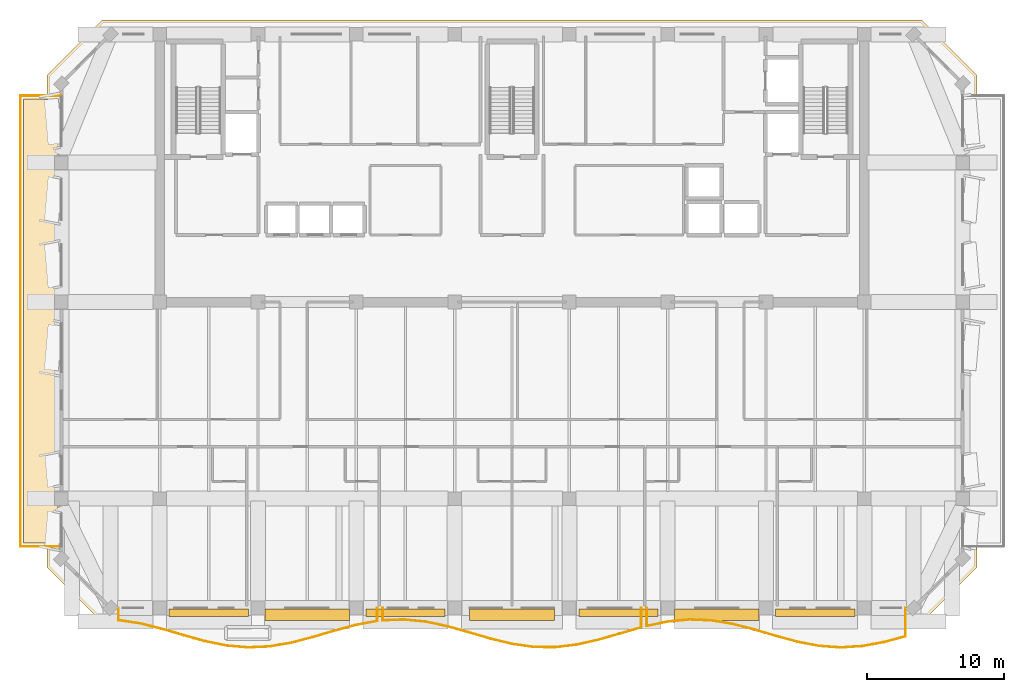
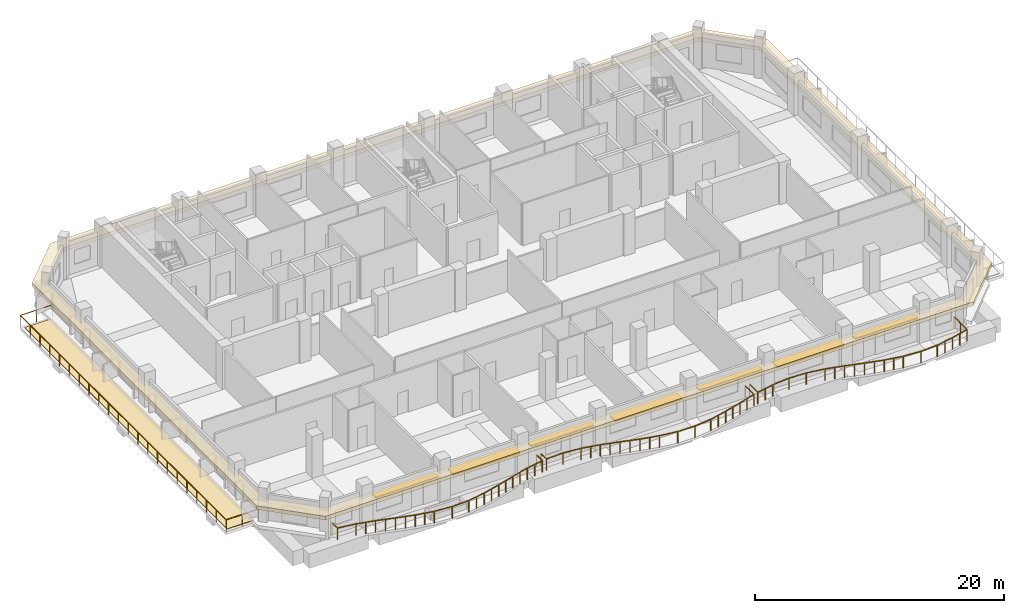
# One storey, part 9 of 12: 7 shading devices, 4 railings, 2 coverings.
"""IFC4 building model written with IfcOpenShell, lengths in metres."""

from ifc_helpers import new_model, si_unit, direction, frame, origin, origin_2d, place, context, subcontext, project, spatial, polyline, rectangle, outline, extrude, material, layer, layer_set, type_object, element, save


model = new_model("IFC4")

# Units and contexts
model_context = context("Model", 3, precision=1e-05, world=origin(), true_north=direction((0.0, 1.0)))
body_context = subcontext(model_context, "Body", "Model", "MODEL_VIEW")
ifc_project = project(units=[si_unit("LENGTHUNIT", "METRE"), si_unit("AREAUNIT", "SQUARE_METRE"), si_unit("VOLUMEUNIT", "CUBIC_METRE"), si_unit("PLANEANGLEUNIT", "RADIAN"), si_unit("MASSUNIT", "GRAM", prefix="KILO")], contexts=[model_context])

# Site, building, storey
site_placement = place(None, origin())
site = spatial("IfcSite", under=ifc_project, at=site_placement, CompositionType="ELEMENT")
building_placement = place(site_placement, origin())
building = spatial("IfcBuilding", under=site, at=building_placement, Name="Kaelvorn Grand Hotel", CompositionType="ELEMENT")
storey_placement = place(building_placement, frame((0.0, 0.0, 285.89990234375)))
storey = spatial("IfcBuildingStorey", under=building, at=storey_placement, Name="L70", CompositionType="ELEMENT", Elevation=285.89990234375)

# Coverings
ifc_material_1 = material(Name="Precast concrete C45/55", Category="concrete")
ifc_layer_1 = layer(ifc_material_1, 0.260009765625)
ifc_layer_set_1 = layer_set([ifc_layer_1], Name="Precast concrete C45/55")
covering_type_1 = type_object("IfcCoveringType", Name="COV-BAND-STREAMLINE-HEAD", PredefinedType="CLADDING", material=ifc_layer_set_1)
covering_1_placement = place(storey_placement, frame((0.0, 0.0, 2.420166015625)))
element("IfcCovering", 1, at=covering_1_placement, inside=storey, type_object=covering_type_1, Name="L70 Streamline Moderne Wraparound Horizontal Eyebrow Band", PredefinedType="CLADDING", context=body_context, shape_type="SweptSolid", body=[
    extrude(outline(polyline([(11.989990234375, 5.949951171875), (72.010009765625, 5.949951171875), (76.050048828125, 9.989990234375), (76.050048828125, 46.010009765625), (72.010009765625, 50.050048828125), (11.989990234375, 50.050048828125), (7.949951171875, 46.010009765625), (7.949951171875, 9.989990234375), (11.989990234375, 5.949951171875)]), holes=[polyline([(12.6201171875, 7.030029296875), (71.3798828125, 7.030029296875), (74.969970703125, 10.6201171875), (74.969970703125, 45.3798828125), (71.3798828125, 48.969970703125), (12.6201171875, 48.969970703125), (9.030029296875, 45.3798828125), (9.030029296875, 10.6201171875), (12.6201171875, 7.030029296875)])]), origin(), (0.0, 0.0, 1.0), 0.35986328125),
])
ifc_material_2 = material(Name="Insulated Elastomeric Waterproofing Roof Membrane")
ifc_layer_2 = layer(ifc_material_2, 0.1201171875)
ifc_layer_set_2 = layer_set([ifc_layer_2], Name="Insulated Elastomeric Waterproofing Roof Membrane")
covering_type_2 = type_object("IfcCoveringType", Name="COV-ROOF-MEMBRANE-120", PredefinedType="ROOFING", material=ifc_layer_set_2)
covering_2_placement = place(storey_placement, origin())
element("IfcCovering", 2, at=covering_2_placement, inside=storey, type_object=covering_type_2, Name="L70 Setback Terrace Waterproofing Membrane W", PredefinedType="ROOFING", context=body_context, shape_type="SweptSolid", body=[
    extrude(outline(polyline([(6.25, 11.75), (8.75, 11.75), (8.75, 44.25), (6.25, 44.25), (6.25, 11.75)])), origin(), (0.0, 0.0, 1.0), 0.06005859375),
])

# Railings
ifc_material_3 = material(Name="Stainless Steel", Category="steel")
railing_type_1 = type_object("IfcRailingType", Name="RL-BALC-1150", PredefinedType="BALUSTRADE", material=ifc_material_3)
railing_1_placement = place(storey_placement, frame((13.199951171875, 7.0, 0.0)))
element("IfcRailing", 3, at=railing_1_placement, inside=storey, type_object=railing_type_1, Name="L70 Scalloped Wave Balcony Balustrade GR1-1", PredefinedType="BALUSTRADE", context=body_context, shape_type="SweptSolid", body=[
    extrude(rectangle(XDim=0.048095703125, YDim=0.048095703125, at=origin_2d()), frame((0.0, 0.0, 1.1259765625), z_axis=(0.0, -1.0, 0.0), x_axis=(1.0, 0.0, 0.0)), (0.0, 0.0, 1.0), 0.900146484375),
    extrude(rectangle(XDim=0.048095703125, YDim=0.048095703125, at=origin_2d()), frame((0.0, -0.900146484375, 1.1259765625), z_axis=(0.988516241436, -0.151114659839, 0.0), x_axis=(0.151114659839, 0.988516241436, 0.0)), (0.0, 0.0, 1.0), 1.59619140625),
    extrude(rectangle(XDim=0.048095703125, YDim=0.048095703125, at=origin_2d()), frame((1.577880859375, -1.141357421875, 1.1259765625), z_axis=(0.970336513975, -0.241758246286, 0.0), x_axis=(0.241758246286, 0.970336513975, 0.0)), (0.0, 0.0, 1.0), 1.6259765625),
    extrude(rectangle(XDim=0.048095703125, YDim=0.048095703125, at=origin_2d()), frame((3.155517578125, -1.534423828125, 1.1259765625), z_axis=(0.9594411111, -0.281909124242, 0.0), x_axis=(0.281909124242, 0.9594411111, 0.0)), (0.0, 0.0, 1.0), 1.64453125),
    extrude(rectangle(XDim=0.048095703125, YDim=0.048095703125, at=origin_2d()), frame((4.7333984375, -1.998046875, 1.1259765625), z_axis=(0.963567020392, -0.267467002102, 0.0), x_axis=(0.267467002102, 0.963567020392, 0.0)), (0.0, 0.0, 1.0), 1.637451171875),
    extrude(rectangle(XDim=0.048095703125, YDim=0.048095703125, at=origin_2d()), frame((6.311279296875, -2.43603515625, 1.1259765625), z_axis=(0.979797389426, -0.199992689052, 0.0), x_axis=(0.199992689052, 0.979797389426, 0.0)), (0.0, 0.0, 1.0), 1.610107421875),
    extrude(rectangle(XDim=0.048095703125, YDim=0.048095703125, at=origin_2d()), frame((7.888916015625, -2.758056640625, 1.1259765625), z_axis=(0.996133421283, -0.087853326649, 0.0), x_axis=(0.087853326649, 0.996133421283, 0.0)), (0.0, 0.0, 1.0), 1.583984375),
    extrude(rectangle(XDim=0.048095703125, YDim=0.048095703125, at=origin_2d()), frame((9.466796875, -2.897216796875, 1.1259765625), z_axis=(0.998952541697, 0.045758271795, 0.0), x_axis=(-0.045758271795, 0.998952541697, 0.0)), (0.0, 0.0, 1.0), 1.579345703125),
    extrude(rectangle(XDim=0.048095703125, YDim=0.048095703125, at=origin_2d()), frame((11.04443359375, -2.824951171875, 1.1259765625), z_axis=(0.985772814615, 0.168083187638, 0.0), x_axis=(-0.168083187638, 0.985772814615, 0.0)), (0.0, 0.0, 1.0), 1.6005859375),
    extrude(rectangle(XDim=0.048095703125, YDim=0.048095703125, at=origin_2d()), frame((12.622314453125, -2.555908203125, 1.1259765625), z_axis=(0.967863347592, 0.251476719376, 0.0), x_axis=(-0.251476719376, 0.967863347592, 0.0)), (0.0, 0.0, 1.0), 1.630126953125),
    extrude(rectangle(XDim=0.048095703125, YDim=0.048095703125, at=origin_2d()), frame((14.199951171875, -2.14599609375, 1.1259765625), z_axis=(0.959079088078, 0.28313831039, 0.0), x_axis=(-0.28313831039, 0.959079088078, 0.0)), (0.0, 0.0, 1.0), 1.645263671875),
    extrude(rectangle(XDim=0.048095703125, YDim=0.048095703125, at=origin_2d()), frame((15.77783203125, -1.68017578125, 1.1259765625), z_axis=(0.965467041319, 0.26052522359, 0.0), x_axis=(-0.26052522359, 0.965467041319, 0.0)), (0.0, 0.0, 1.0), 1.63427734375),
    extrude(rectangle(XDim=0.048095703125, YDim=0.048095703125, at=origin_2d()), frame((17.355712890625, -1.25439453125, 1.1259765625), z_axis=(0.982723809516, 0.185078130019, 0.0), x_axis=(-0.185078130019, 0.982723809516, 0.0)), (0.0, 0.0, 1.0), 1.60546875),
    extrude(rectangle(XDim=0.048095703125, YDim=0.048095703125, at=origin_2d()), frame((18.933349609375, -0.957275390625, 1.1259765625), z_axis=(0.0, 1.0, 0.0), x_axis=(-1.0, 0.0, 0.0)), (0.0, 0.0, 1.0), 0.957275390625),
    extrude(rectangle(XDim=0.0419921875, YDim=0.0419921875, at=origin_2d()), origin(), (0.0, 0.0, 1.0), 1.101806640625),
    extrude(rectangle(XDim=0.0419921875, YDim=0.0419921875, at=origin_2d()), frame((0.0, -0.900146484375, 0.0)), (0.0, 0.0, 1.0), 1.101806640625),
    extrude(rectangle(XDim=0.0419921875, YDim=0.0419921875, at=origin_2d()), frame((1.577880859375, -1.141357421875, 0.0)), (0.0, 0.0, 1.0), 1.101806640625),
    extrude(rectangle(XDim=0.0419921875, YDim=0.0419921875, at=origin_2d()), frame((2.36669921875, -1.337890625, 0.0)), (0.0, 0.0, 1.0), 1.101806640625),
    extrude(rectangle(XDim=0.0419921875, YDim=0.0419921875, at=origin_2d()), frame((3.155517578125, -1.534423828125, 0.0)), (0.0, 0.0, 1.0), 1.101806640625),
    extrude(rectangle(XDim=0.0419921875, YDim=0.0419921875, at=origin_2d()), frame((3.9443359375, -1.76611328125, 0.0)), (0.0, 0.0, 1.0), 1.101806640625),
    extrude(rectangle(XDim=0.0419921875, YDim=0.0419921875, at=origin_2d()), frame((4.7333984375, -1.998046875, 0.0)), (0.0, 0.0, 1.0), 1.101806640625),
    extrude(rectangle(XDim=0.0419921875, YDim=0.0419921875, at=origin_2d()), frame((5.5224609375, -2.217041015625, 0.0)), (0.0, 0.0, 1.0), 1.101806640625),
    extrude(rectangle(XDim=0.0419921875, YDim=0.0419921875, at=origin_2d()), frame((6.311279296875, -2.43603515625, 0.0)), (0.0, 0.0, 1.0), 1.101806640625),
    extrude(rectangle(XDim=0.0419921875, YDim=0.0419921875, at=origin_2d()), frame((7.10009765625, -2.59716796875, 0.0)), (0.0, 0.0, 1.0), 1.101806640625),
    extrude(rectangle(XDim=0.0419921875, YDim=0.0419921875, at=origin_2d()), frame((7.888916015625, -2.758056640625, 0.0)), (0.0, 0.0, 1.0), 1.101806640625),
    extrude(rectangle(XDim=0.0419921875, YDim=0.0419921875, at=origin_2d()), frame((9.466796875, -2.897216796875, 0.0)), (0.0, 0.0, 1.0), 1.101806640625),
    extrude(rectangle(XDim=0.0419921875, YDim=0.0419921875, at=origin_2d()), frame((11.04443359375, -2.824951171875, 0.0)), (0.0, 0.0, 1.0), 1.101806640625),
    extrude(rectangle(XDim=0.0419921875, YDim=0.0419921875, at=origin_2d()), frame((11.83349609375, -2.6904296875, 0.0)), (0.0, 0.0, 1.0), 1.101806640625),
    extrude(rectangle(XDim=0.0419921875, YDim=0.0419921875, at=origin_2d()), frame((12.622314453125, -2.555908203125, 0.0)), (0.0, 0.0, 1.0), 1.101806640625),
    extrude(rectangle(XDim=0.0419921875, YDim=0.0419921875, at=origin_2d()), frame((13.4111328125, -2.35107421875, 0.0)), (0.0, 0.0, 1.0), 1.101806640625),
    extrude(rectangle(XDim=0.0419921875, YDim=0.0419921875, at=origin_2d()), frame((14.199951171875, -2.14599609375, 0.0)), (0.0, 0.0, 1.0), 1.101806640625),
    extrude(rectangle(XDim=0.0419921875, YDim=0.0419921875, at=origin_2d()), frame((14.98876953125, -1.9130859375, 0.0)), (0.0, 0.0, 1.0), 1.101806640625),
    extrude(rectangle(XDim=0.0419921875, YDim=0.0419921875, at=origin_2d()), frame((15.77783203125, -1.68017578125, 0.0)), (0.0, 0.0, 1.0), 1.101806640625),
    extrude(rectangle(XDim=0.0419921875, YDim=0.0419921875, at=origin_2d()), frame((16.56689453125, -1.46728515625, 0.0)), (0.0, 0.0, 1.0), 1.101806640625),
    extrude(rectangle(XDim=0.0419921875, YDim=0.0419921875, at=origin_2d()), frame((17.355712890625, -1.25439453125, 0.0)), (0.0, 0.0, 1.0), 1.101806640625),
    extrude(rectangle(XDim=0.0419921875, YDim=0.0419921875, at=origin_2d()), frame((18.14453125, -1.10595703125, 0.0)), (0.0, 0.0, 1.0), 1.101806640625),
    extrude(rectangle(XDim=0.0419921875, YDim=0.0419921875, at=origin_2d()), frame((18.933349609375, -0.957275390625, 0.0)), (0.0, 0.0, 1.0), 1.101806640625),
    extrude(rectangle(XDim=0.0419921875, YDim=0.0419921875, at=origin_2d()), frame((18.933349609375, 0.0, 0.0)), (0.0, 0.0, 1.0), 1.101806640625),
])
railing_2_placement = place(storey_placement, frame((32.533447265625, 7.0, 0.0)))
element("IfcRailing", 4, at=railing_2_placement, inside=storey, type_object=railing_type_1, Name="L70 Scalloped Wave Balcony Balustrade GR1-2", PredefinedType="BALUSTRADE", context=body_context, shape_type="SweptSolid", body=[
    extrude(rectangle(XDim=0.048095703125, YDim=0.048095703125, at=origin_2d()), frame((0.0, 0.0, 1.1259765625), z_axis=(0.0, -1.0, 0.0), x_axis=(1.0, 0.0, 0.0)), (0.0, 0.0, 1.0), 0.910400390625),
    extrude(rectangle(XDim=0.048095703125, YDim=0.048095703125, at=origin_2d()), frame((0.0, -0.910400390625, 1.1259765625), z_axis=(0.999420965922, 0.034025473925, 0.0), x_axis=(-0.034025473925, 0.999420965922, 0.0)), (0.0, 0.0, 1.0), 1.57861328125),
    extrude(rectangle(XDim=0.048095703125, YDim=0.048095703125, at=origin_2d()), frame((1.57763671875, -0.856689453125, 1.1259765625), z_axis=(0.995087369025, -0.099000646493, 0.0), x_axis=(0.099000646493, 0.995087369025, 0.0)), (0.0, 0.0, 1.0), 1.585693359375),
    extrude(rectangle(XDim=0.048095703125, YDim=0.048095703125, at=origin_2d()), frame((3.155517578125, -1.013671875, 1.1259765625), z_axis=(0.978164236518, -0.207833410204, 0.0), x_axis=(0.207833410204, 0.978164236518, 0.0)), (0.0, 0.0, 1.0), 1.61279296875),
    extrude(rectangle(XDim=0.048095703125, YDim=0.048095703125, at=origin_2d()), frame((4.733154296875, -1.348876953125, 1.1259765625), z_axis=(0.962601187284, -0.270922413689, 0.0), x_axis=(0.270922413689, 0.962601187284, 0.0)), (0.0, 0.0, 1.0), 1.63916015625),
    extrude(rectangle(XDim=0.048095703125, YDim=0.048095703125, at=origin_2d()), frame((6.31103515625, -1.79296875, 1.1259765625), z_axis=(0.959830137867, -0.280581728634, 0.0), x_axis=(0.280581728634, 0.959830137867, 0.0)), (0.0, 0.0, 1.0), 1.6435546875),
    extrude(rectangle(XDim=0.048095703125, YDim=0.048095703125, at=origin_2d()), frame((7.888671875, -2.254150390625, 1.1259765625), z_axis=(0.971842801897, -0.235630151721, 0.0), x_axis=(0.235630151721, 0.971842801897, 0.0)), (0.0, 0.0, 1.0), 1.62353515625),
    extrude(rectangle(XDim=0.048095703125, YDim=0.048095703125, at=origin_2d()), frame((9.466552734375, -2.63671875, 1.1259765625), z_axis=(0.989977046543, -0.141228351681, 0.0), x_axis=(0.141228351681, 0.989977046543, 0.0)), (0.0, 0.0, 1.0), 1.59375),
    extrude(rectangle(XDim=0.048095703125, YDim=0.048095703125, at=origin_2d()), frame((11.04443359375, -2.86181640625, 1.1259765625), z_axis=(0.999913499704, -0.013152684536, 0.0), x_axis=(0.013152684536, 0.999913499704, 0.0)), (0.0, 0.0, 1.0), 1.577880859375),
    extrude(rectangle(XDim=0.048095703125, YDim=0.048095703125, at=origin_2d()), frame((12.6220703125, -2.882568359375, 1.1259765625), z_axis=(0.992995572283, 0.118151569718, 0.0), x_axis=(-0.118151569718, 0.992995572283, 0.0)), (0.0, 0.0, 1.0), 1.589111328125),
    extrude(rectangle(XDim=0.048095703125, YDim=0.048095703125, at=origin_2d()), frame((14.199951171875, -2.69482421875, 1.1259765625), z_axis=(0.975283851303, 0.220955672904, 0.0), x_axis=(-0.220955672904, 0.975283851303, 0.0)), (0.0, 0.0, 1.0), 1.61767578125),
    extrude(rectangle(XDim=0.048095703125, YDim=0.048095703125, at=origin_2d()), frame((15.777587890625, -2.33740234375, 1.1259765625), z_axis=(0.961152686274, 0.276017234369, 0.0), x_axis=(-0.276017234369, 0.961152686274, 0.0)), (0.0, 0.0, 1.0), 1.6416015625),
    extrude(rectangle(XDim=0.048095703125, YDim=0.048095703125, at=origin_2d()), frame((17.35546875, -1.88427734375, 1.1259765625), z_axis=(0.960825114094, 0.277155371815, 0.0), x_axis=(-0.277155371815, 0.960825114094, 0.0)), (0.0, 0.0, 1.0), 1.641845703125),
    extrude(rectangle(XDim=0.048095703125, YDim=0.048095703125, at=origin_2d()), frame((18.93310546875, -1.42919921875, 1.1259765625), z_axis=(0.0, 1.0, 0.0), x_axis=(-1.0, 0.0, 0.0)), (0.0, 0.0, 1.0), 1.42919921875),
    extrude(rectangle(XDim=0.0419921875, YDim=0.0419921875, at=origin_2d()), origin(), (0.0, 0.0, 1.0), 1.101806640625),
    extrude(rectangle(XDim=0.0419921875, YDim=0.0419921875, at=origin_2d()), frame((0.0, -0.910400390625, 0.0)), (0.0, 0.0, 1.0), 1.101806640625),
    extrude(rectangle(XDim=0.0419921875, YDim=0.0419921875, at=origin_2d()), frame((1.57763671875, -0.856689453125, 0.0)), (0.0, 0.0, 1.0), 1.101806640625),
    extrude(rectangle(XDim=0.0419921875, YDim=0.0419921875, at=origin_2d()), frame((3.155517578125, -1.013671875, 0.0)), (0.0, 0.0, 1.0), 1.101806640625),
    extrude(rectangle(XDim=0.0419921875, YDim=0.0419921875, at=origin_2d()), frame((3.9443359375, -1.18115234375, 0.0)), (0.0, 0.0, 1.0), 1.101806640625),
    extrude(rectangle(XDim=0.0419921875, YDim=0.0419921875, at=origin_2d()), frame((4.733154296875, -1.348876953125, 0.0)), (0.0, 0.0, 1.0), 1.101806640625),
    extrude(rectangle(XDim=0.0419921875, YDim=0.0419921875, at=origin_2d()), frame((5.52197265625, -1.57080078125, 0.0)), (0.0, 0.0, 1.0), 1.101806640625),
    extrude(rectangle(XDim=0.0419921875, YDim=0.0419921875, at=origin_2d()), frame((6.31103515625, -1.79296875, 0.0)), (0.0, 0.0, 1.0), 1.101806640625),
    extrude(rectangle(XDim=0.0419921875, YDim=0.0419921875, at=origin_2d()), frame((7.099853515625, -2.0234375, 0.0)), (0.0, 0.0, 1.0), 1.101806640625),
    extrude(rectangle(XDim=0.0419921875, YDim=0.0419921875, at=origin_2d()), frame((7.888671875, -2.254150390625, 0.0)), (0.0, 0.0, 1.0), 1.101806640625),
    extrude(rectangle(XDim=0.0419921875, YDim=0.0419921875, at=origin_2d()), frame((8.677734375, -2.4453125, 0.0)), (0.0, 0.0, 1.0), 1.101806640625),
    extrude(rectangle(XDim=0.0419921875, YDim=0.0419921875, at=origin_2d()), frame((9.466552734375, -2.63671875, 0.0)), (0.0, 0.0, 1.0), 1.101806640625),
    extrude(rectangle(XDim=0.0419921875, YDim=0.0419921875, at=origin_2d()), frame((11.04443359375, -2.86181640625, 0.0)), (0.0, 0.0, 1.0), 1.101806640625),
    extrude(rectangle(XDim=0.0419921875, YDim=0.0419921875, at=origin_2d()), frame((12.6220703125, -2.882568359375, 0.0)), (0.0, 0.0, 1.0), 1.101806640625),
    extrude(rectangle(XDim=0.0419921875, YDim=0.0419921875, at=origin_2d()), frame((14.199951171875, -2.69482421875, 0.0)), (0.0, 0.0, 1.0), 1.101806640625),
    extrude(rectangle(XDim=0.0419921875, YDim=0.0419921875, at=origin_2d()), frame((14.98876953125, -2.51611328125, 0.0)), (0.0, 0.0, 1.0), 1.101806640625),
    extrude(rectangle(XDim=0.0419921875, YDim=0.0419921875, at=origin_2d()), frame((15.777587890625, -2.33740234375, 0.0)), (0.0, 0.0, 1.0), 1.101806640625),
    extrude(rectangle(XDim=0.0419921875, YDim=0.0419921875, at=origin_2d()), frame((16.56640625, -2.11083984375, 0.0)), (0.0, 0.0, 1.0), 1.101806640625),
    extrude(rectangle(XDim=0.0419921875, YDim=0.0419921875, at=origin_2d()), frame((17.35546875, -1.88427734375, 0.0)), (0.0, 0.0, 1.0), 1.101806640625),
    extrude(rectangle(XDim=0.0419921875, YDim=0.0419921875, at=origin_2d()), frame((18.144287109375, -1.65673828125, 0.0)), (0.0, 0.0, 1.0), 1.101806640625),
    extrude(rectangle(XDim=0.0419921875, YDim=0.0419921875, at=origin_2d()), frame((18.93310546875, -1.42919921875, 0.0)), (0.0, 0.0, 1.0), 1.101806640625),
    extrude(rectangle(XDim=0.0419921875, YDim=0.0419921875, at=origin_2d()), frame((18.93310546875, 0.0, 0.0)), (0.0, 0.0, 1.0), 1.101806640625),
])
railing_3_placement = place(storey_placement, frame((51.86669921875, 7.0, 0.0)))
element("IfcRailing", 5, at=railing_3_placement, inside=storey, type_object=railing_type_1, Name="L70 Scalloped Wave Balcony Balustrade GR1-3", PredefinedType="BALUSTRADE", context=body_context, shape_type="SweptSolid", body=[
    extrude(rectangle(XDim=0.048095703125, YDim=0.048095703125, at=origin_2d()), frame((0.0, 0.0, 1.1259765625), z_axis=(0.0, -1.0, 0.0), x_axis=(1.0, 0.0, 0.0)), (0.0, 0.0, 1.0), 1.3251953125),
    extrude(rectangle(XDim=0.048095703125, YDim=0.048095703125, at=origin_2d()), frame((0.0, -1.3251953125, 1.1259765625), z_axis=(0.979259382724, 0.202610615089, 0.0), x_axis=(-0.202610615089, 0.979259382724, 0.0)), (0.0, 0.0, 1.0), 1.611083984375),
    extrude(rectangle(XDim=0.048095703125, YDim=0.048095703125, at=origin_2d()), frame((1.57763671875, -0.998779296875, 1.1259765625), z_axis=(0.995803049951, 0.09152205039, 0.0), x_axis=(-0.09152205039, 0.995803049951, 0.0)), (0.0, 0.0, 1.0), 1.58447265625),
    extrude(rectangle(XDim=0.048095703125, YDim=0.048095703125, at=origin_2d()), frame((3.155517578125, -0.853759765625, 1.1259765625), z_axis=(0.999115570848, -0.04204849687, 0.0), x_axis=(0.04204849687, 0.999115570848, 0.0)), (0.0, 0.0, 1.0), 1.579345703125),
    extrude(rectangle(XDim=0.048095703125, YDim=0.048095703125, at=origin_2d()), frame((4.7333984375, -0.920166015625, 1.1259765625), z_axis=(0.986269893476, -0.165141446107, 0.0), x_axis=(0.165141446107, 0.986269893476, 0.0)), (0.0, 0.0, 1.0), 1.599609375),
    extrude(rectangle(XDim=0.048095703125, YDim=0.048095703125, at=origin_2d()), frame((6.31103515625, -1.184326171875, 1.1259765625), z_axis=(0.968308888529, -0.249755673399, 0.0), x_axis=(0.249755673399, 0.968308888529, 0.0)), (0.0, 0.0, 1.0), 1.629638671875),
    extrude(rectangle(XDim=0.048095703125, YDim=0.048095703125, at=origin_2d()), frame((7.888916015625, -1.59130859375, 1.1259765625), z_axis=(0.95910748909, -0.283042089399, 0.0), x_axis=(0.283042089399, 0.95910748909, 0.0)), (0.0, 0.0, 1.0), 1.64501953125),
    extrude(rectangle(XDim=0.048095703125, YDim=0.048095703125, at=origin_2d()), frame((9.466552734375, -2.056884765625, 1.1259765625), z_axis=(0.965128178827, -0.261777765354, 0.0), x_axis=(0.261777765354, 0.965128178827, 0.0)), (0.0, 0.0, 1.0), 1.635009765625),
    extrude(rectangle(XDim=0.048095703125, YDim=0.048095703125, at=origin_2d()), frame((11.04443359375, -2.48486328125, 1.1259765625), z_axis=(0.982166539658, -0.18801300055, 0.0), x_axis=(0.18801300055, 0.982166539658, 0.0)), (0.0, 0.0, 1.0), 1.606201171875),
    extrude(rectangle(XDim=0.048095703125, YDim=0.048095703125, at=origin_2d()), frame((12.6220703125, -2.786865234375, 1.1259765625), z_axis=(0.997443793309, -0.071455434984, 0.0), x_axis=(0.071455434984, 0.997443793309, 0.0)), (0.0, 0.0, 1.0), 1.58203125),
    extrude(rectangle(XDim=0.048095703125, YDim=0.048095703125, at=origin_2d()), frame((14.199951171875, -2.89990234375, 1.1259765625), z_axis=(0.998032699487, 0.06269554015, 0.0), x_axis=(-0.06269554015, 0.998032699487, 0.0)), (0.0, 0.0, 1.0), 1.5810546875),
    extrude(rectangle(XDim=0.048095703125, YDim=0.048095703125, at=origin_2d()), frame((15.77783203125, -2.80078125, 1.1259765625), z_axis=(0.983463176908, 0.181108198781, 0.0), x_axis=(-0.181108198781, 0.983463176908, 0.0)), (0.0, 0.0, 1.0), 1.604248046875),
    extrude(rectangle(XDim=0.048095703125, YDim=0.048095703125, at=origin_2d()), frame((17.35546875, -2.51025390625, 1.1259765625), z_axis=(0.966028721311, 0.258434729869, 0.0), x_axis=(-0.258434729869, 0.966028721311, 0.0)), (0.0, 0.0, 1.0), 1.63330078125),
    extrude(rectangle(XDim=0.048095703125, YDim=0.048095703125, at=origin_2d()), frame((18.933349609375, -2.088134765625, 1.1259765625), z_axis=(0.0, 1.0, 0.0), x_axis=(-1.0, 0.0, 0.0)), (0.0, 0.0, 1.0), 2.088134765625),
    extrude(rectangle(XDim=0.0419921875, YDim=0.0419921875, at=origin_2d()), origin(), (0.0, 0.0, 1.0), 1.101806640625),
    extrude(rectangle(XDim=0.0419921875, YDim=0.0419921875, at=origin_2d()), frame((0.0, -1.3251953125, 0.0)), (0.0, 0.0, 1.0), 1.101806640625),
    extrude(rectangle(XDim=0.0419921875, YDim=0.0419921875, at=origin_2d()), frame((0.788818359375, -1.162109375, 0.0)), (0.0, 0.0, 1.0), 1.101806640625),
    extrude(rectangle(XDim=0.0419921875, YDim=0.0419921875, at=origin_2d()), frame((1.57763671875, -0.998779296875, 0.0)), (0.0, 0.0, 1.0), 1.101806640625),
    extrude(rectangle(XDim=0.0419921875, YDim=0.0419921875, at=origin_2d()), frame((3.155517578125, -0.853759765625, 0.0)), (0.0, 0.0, 1.0), 1.101806640625),
    extrude(rectangle(XDim=0.0419921875, YDim=0.0419921875, at=origin_2d()), frame((4.7333984375, -0.920166015625, 0.0)), (0.0, 0.0, 1.0), 1.101806640625),
    extrude(rectangle(XDim=0.0419921875, YDim=0.0419921875, at=origin_2d()), frame((6.31103515625, -1.184326171875, 0.0)), (0.0, 0.0, 1.0), 1.101806640625),
    extrude(rectangle(XDim=0.0419921875, YDim=0.0419921875, at=origin_2d()), frame((7.10009765625, -1.3876953125, 0.0)), (0.0, 0.0, 1.0), 1.101806640625),
    extrude(rectangle(XDim=0.0419921875, YDim=0.0419921875, at=origin_2d()), frame((7.888916015625, -1.59130859375, 0.0)), (0.0, 0.0, 1.0), 1.101806640625),
    extrude(rectangle(XDim=0.0419921875, YDim=0.0419921875, at=origin_2d()), frame((8.677734375, -1.82421875, 0.0)), (0.0, 0.0, 1.0), 1.101806640625),
    extrude(rectangle(XDim=0.0419921875, YDim=0.0419921875, at=origin_2d()), frame((9.466552734375, -2.056884765625, 0.0)), (0.0, 0.0, 1.0), 1.101806640625),
    extrude(rectangle(XDim=0.0419921875, YDim=0.0419921875, at=origin_2d()), frame((10.25537109375, -2.27099609375, 0.0)), (0.0, 0.0, 1.0), 1.101806640625),
    extrude(rectangle(XDim=0.0419921875, YDim=0.0419921875, at=origin_2d()), frame((11.04443359375, -2.48486328125, 0.0)), (0.0, 0.0, 1.0), 1.101806640625),
    extrude(rectangle(XDim=0.0419921875, YDim=0.0419921875, at=origin_2d()), frame((11.833251953125, -2.6357421875, 0.0)), (0.0, 0.0, 1.0), 1.101806640625),
    extrude(rectangle(XDim=0.0419921875, YDim=0.0419921875, at=origin_2d()), frame((12.6220703125, -2.786865234375, 0.0)), (0.0, 0.0, 1.0), 1.101806640625),
    extrude(rectangle(XDim=0.0419921875, YDim=0.0419921875, at=origin_2d()), frame((14.199951171875, -2.89990234375, 0.0)), (0.0, 0.0, 1.0), 1.101806640625),
    extrude(rectangle(XDim=0.0419921875, YDim=0.0419921875, at=origin_2d()), frame((15.77783203125, -2.80078125, 0.0)), (0.0, 0.0, 1.0), 1.101806640625),
    extrude(rectangle(XDim=0.0419921875, YDim=0.0419921875, at=origin_2d()), frame((16.566650390625, -2.655517578125, 0.0)), (0.0, 0.0, 1.0), 1.101806640625),
    extrude(rectangle(XDim=0.0419921875, YDim=0.0419921875, at=origin_2d()), frame((17.35546875, -2.51025390625, 0.0)), (0.0, 0.0, 1.0), 1.101806640625),
    extrude(rectangle(XDim=0.0419921875, YDim=0.0419921875, at=origin_2d()), frame((18.14453125, -2.29931640625, 0.0)), (0.0, 0.0, 1.0), 1.101806640625),
    extrude(rectangle(XDim=0.0419921875, YDim=0.0419921875, at=origin_2d()), frame((18.933349609375, -2.088134765625, 0.0)), (0.0, 0.0, 1.0), 1.101806640625),
    extrude(rectangle(XDim=0.0419921875, YDim=0.0419921875, at=origin_2d()), frame((18.933349609375, -1.0439453125, 0.0)), (0.0, 0.0, 1.0), 1.101806640625),
    extrude(rectangle(XDim=0.0419921875, YDim=0.0419921875, at=origin_2d()), frame((18.933349609375, 0.0, 0.0)), (0.0, 0.0, 1.0), 1.101806640625),
])
railing_type_2 = type_object("IfcRailingType", Name="RL-OBS-1200", PredefinedType="BALUSTRADE", material=ifc_material_3)
railing_4_placement = place(storey_placement, frame((9.0, 11.5, 0.0)))
element("IfcRailing", 6, at=railing_4_placement, inside=storey, type_object=railing_type_2, Name="L70 Setback Sky Terrace Balustrade W", PredefinedType="BALUSTRADE", context=body_context, shape_type="SweptSolid", body=[
    extrude(rectangle(XDim=0.048095703125, YDim=0.048095703125, at=origin_2d()), frame((0.0, 0.0, 1.17578125), z_axis=(-1.0, 0.0, 0.0), x_axis=(0.0, -1.0, 0.0)), (0.0, 0.0, 1.0), 3.0),
    extrude(rectangle(XDim=0.048095703125, YDim=0.048095703125, at=origin_2d()), frame((-3.0, 0.0, 1.17578125), z_axis=(0.0, 1.0, 0.0), x_axis=(-1.0, 0.0, 0.0)), (0.0, 0.0, 1.0), 33.0),
    extrude(rectangle(XDim=0.048095703125, YDim=0.048095703125, at=origin_2d()), frame((-3.0, 33.0, 1.17578125), z_axis=(1.0, 0.0, 0.0), x_axis=(0.0, 1.0, 0.0)), (0.0, 0.0, 1.0), 3.0),
    extrude(rectangle(XDim=0.0419921875, YDim=0.0419921875, at=origin_2d()), origin(), (0.0, 0.0, 1.0), 1.15185546875),
    extrude(rectangle(XDim=0.0419921875, YDim=0.0419921875, at=origin_2d()), frame((-1.5, 0.0, 0.0)), (0.0, 0.0, 1.0), 1.15185546875),
    extrude(rectangle(XDim=0.0419921875, YDim=0.0419921875, at=origin_2d()), frame((-3.0, 0.0, 0.0)), (0.0, 0.0, 1.0), 1.15185546875),
    extrude(rectangle(XDim=0.0419921875, YDim=0.0419921875, at=origin_2d()), frame((-3.0, 1.571533203125, 0.0)), (0.0, 0.0, 1.0), 1.15185546875),
    extrude(rectangle(XDim=0.0419921875, YDim=0.0419921875, at=origin_2d()), frame((-3.0, 3.142822265625, 0.0)), (0.0, 0.0, 1.0), 1.15185546875),
    extrude(rectangle(XDim=0.0419921875, YDim=0.0419921875, at=origin_2d()), frame((-3.0, 4.71435546875, 0.0)), (0.0, 0.0, 1.0), 1.15185546875),
    extrude(rectangle(XDim=0.0419921875, YDim=0.0419921875, at=origin_2d()), frame((-3.0, 6.28564453125, 0.0)), (0.0, 0.0, 1.0), 1.15185546875),
    extrude(rectangle(XDim=0.0419921875, YDim=0.0419921875, at=origin_2d()), frame((-3.0, 7.857177734375, 0.0)), (0.0, 0.0, 1.0), 1.15185546875),
    extrude(rectangle(XDim=0.0419921875, YDim=0.0419921875, at=origin_2d()), frame((-3.0, 9.428466796875, 0.0)), (0.0, 0.0, 1.0), 1.15185546875),
    extrude(rectangle(XDim=0.0419921875, YDim=0.0419921875, at=origin_2d()), frame((-3.0, 11.0, 0.0)), (0.0, 0.0, 1.0), 1.15185546875),
    extrude(rectangle(XDim=0.0419921875, YDim=0.0419921875, at=origin_2d()), frame((-3.0, 12.571533203125, 0.0)), (0.0, 0.0, 1.0), 1.15185546875),
    extrude(rectangle(XDim=0.0419921875, YDim=0.0419921875, at=origin_2d()), frame((-3.0, 14.142822265625, 0.0)), (0.0, 0.0, 1.0), 1.15185546875),
    extrude(rectangle(XDim=0.0419921875, YDim=0.0419921875, at=origin_2d()), frame((-3.0, 15.71435546875, 0.0)), (0.0, 0.0, 1.0), 1.15185546875),
    extrude(rectangle(XDim=0.0419921875, YDim=0.0419921875, at=origin_2d()), frame((-3.0, 17.28564453125, 0.0)), (0.0, 0.0, 1.0), 1.15185546875),
    extrude(rectangle(XDim=0.0419921875, YDim=0.0419921875, at=origin_2d()), frame((-3.0, 18.857177734375, 0.0)), (0.0, 0.0, 1.0), 1.15185546875),
    extrude(rectangle(XDim=0.0419921875, YDim=0.0419921875, at=origin_2d()), frame((-3.0, 20.428466796875, 0.0)), (0.0, 0.0, 1.0), 1.15185546875),
    extrude(rectangle(XDim=0.0419921875, YDim=0.0419921875, at=origin_2d()), frame((-3.0, 22.0, 0.0)), (0.0, 0.0, 1.0), 1.15185546875),
    extrude(rectangle(XDim=0.0419921875, YDim=0.0419921875, at=origin_2d()), frame((-3.0, 23.571533203125, 0.0)), (0.0, 0.0, 1.0), 1.15185546875),
    extrude(rectangle(XDim=0.0419921875, YDim=0.0419921875, at=origin_2d()), frame((-3.0, 25.142822265625, 0.0)), (0.0, 0.0, 1.0), 1.15185546875),
    extrude(rectangle(XDim=0.0419921875, YDim=0.0419921875, at=origin_2d()), frame((-3.0, 26.71435546875, 0.0)), (0.0, 0.0, 1.0), 1.15185546875),
    extrude(rectangle(XDim=0.0419921875, YDim=0.0419921875, at=origin_2d()), frame((-3.0, 28.28564453125, 0.0)), (0.0, 0.0, 1.0), 1.15185546875),
    extrude(rectangle(XDim=0.0419921875, YDim=0.0419921875, at=origin_2d()), frame((-3.0, 29.857177734375, 0.0)), (0.0, 0.0, 1.0), 1.15185546875),
    extrude(rectangle(XDim=0.0419921875, YDim=0.0419921875, at=origin_2d()), frame((-3.0, 31.428466796875, 0.0)), (0.0, 0.0, 1.0), 1.15185546875),
    extrude(rectangle(XDim=0.0419921875, YDim=0.0419921875, at=origin_2d()), frame((-3.0, 33.0, 0.0)), (0.0, 0.0, 1.0), 1.15185546875),
    extrude(rectangle(XDim=0.0419921875, YDim=0.0419921875, at=origin_2d()), frame((-1.5, 33.0, 0.0)), (0.0, 0.0, 1.0), 1.15185546875),
    extrude(rectangle(XDim=0.0419921875, YDim=0.0419921875, at=origin_2d()), frame((0.0, 33.0, 0.0)), (0.0, 0.0, 1.0), 1.15185546875),
])

# Shading devices
ifc_layer_3 = layer(ifc_material_1, 0.1201171875)
ifc_layer_set_3 = layer_set([ifc_layer_3], Name="Precast concrete C45/55")
shading_device_type_1 = type_object("IfcShadingDeviceType", Name="SHD-SUNSHADE-550", PredefinedType="USERDEFINED", material=ifc_layer_set_3)
for number, where, z_axis, x_axis, name in (
    (7, (19.800048828125, 6.655029296875, 2.56005859375), (0.0, 0.0, 1.0), (1.0, 0.0, 0.0), "L70 Horizontal Concrete Sunshade Band SS-03"),
    (8, (34.199951171875, 6.655029296875, 2.56005859375), (0.0, 0.0, 1.0), (1.0, 0.0, 0.0), "L70 Horizontal Concrete Sunshade Band SS-05"),
    (9, (49.800048828125, 6.655029296875, 2.56005859375), (0.0, 0.0, 1.0), (1.0, 0.0, 0.0), "L70 Horizontal Concrete Sunshade Band SS-07"),
    (10, (64.199951171875, 6.655029296875, 2.56005859375), (0.0, 0.0, 1.0), (1.0, 0.0, 0.0), "L70 Horizontal Concrete Sunshade Band SS-09"),
):
    element("IfcShadingDevice", number, at=place(storey_placement, frame(where, z_axis=z_axis, x_axis=x_axis)), inside=storey, type_object=shading_device_type_1, Name=name, ObjectType="SUNSHADE", PredefinedType="USERDEFINED", context=body_context, shape_type="SweptSolid", body=[
        extrude(rectangle(XDim=5.800048828125, YDim=0.550048828125, at=origin_2d()), origin(), (0.0, 0.0, 1.0), 0.1201171875),
    ])
ifc_layer_4 = layer(ifc_material_1, 0.139892578125)
ifc_layer_set_4 = layer_set([ifc_layer_4], Name="Precast concrete C45/55")
shading_device_type_2 = type_object("IfcShadingDeviceType", Name="SHD-SUNSHADE-850", PredefinedType="USERDEFINED", material=ifc_layer_set_4)
for number, where, z_axis, x_axis, name in (
    (11, (27.0, 6.5048828125, 2.55029296875), (0.0, 0.0, 1.0), (1.0, 0.0, 0.0), "L70 Horizontal Concrete Sunshade Band SS-04"),
    (12, (42.0, 6.5048828125, 2.55029296875), (0.0, 0.0, 1.0), (1.0, 0.0, 0.0), "L70 Horizontal Concrete Sunshade Band SS-06"),
    (13, (57.0, 6.5048828125, 2.55029296875), (0.0, 0.0, 1.0), (1.0, 0.0, 0.0), "L70 Horizontal Concrete Sunshade Band SS-08"),
):
    element("IfcShadingDevice", number, at=place(storey_placement, frame(where, z_axis=z_axis, x_axis=x_axis)), inside=storey, type_object=shading_device_type_2, Name=name, ObjectType="SUNSHADE", PredefinedType="USERDEFINED", context=body_context, shape_type="SweptSolid", body=[
        extrude(rectangle(XDim=6.199951171875, YDim=0.85009765625, at=origin_2d()), origin(), (0.0, 0.0, 1.0), 0.139892578125),
    ])

save(model, "model.ifc")
